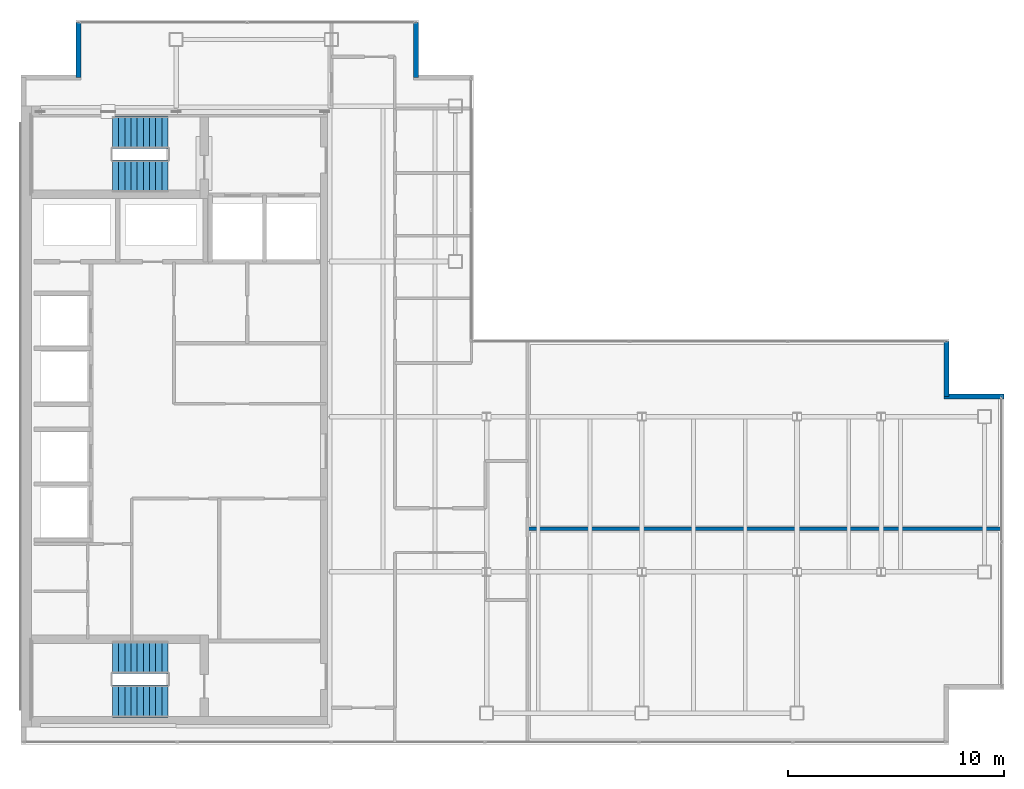
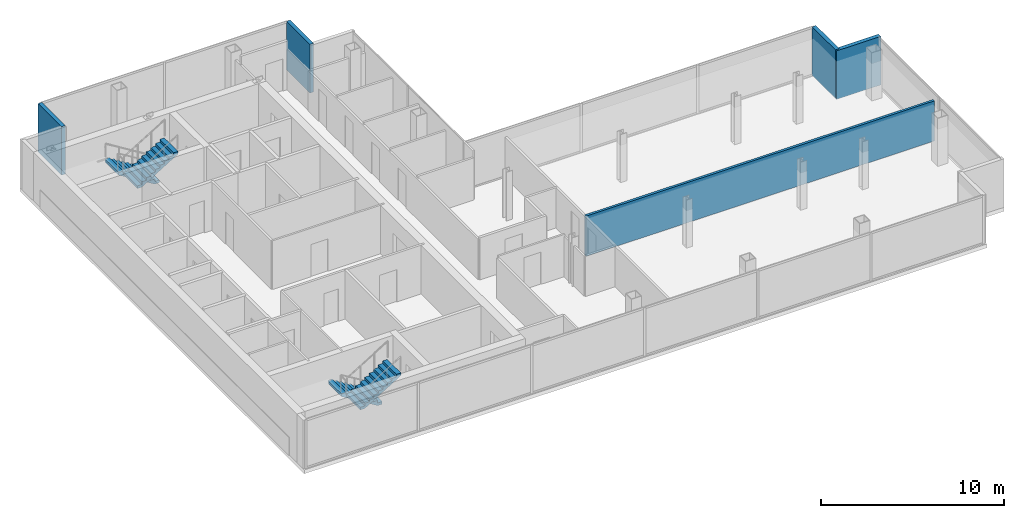
# One storey, part 22 of 23: 5 walls, 4 stair flights, 2 elements without a shape of their own.
"""IFC4 building model written with IfcOpenShell, lengths in metres."""

from ifc_helpers import new_model, si_unit, direction, frame, frame_2d, origin, place, context, subcontext, project, spatial, polyline, rectangle, outline, extrude, material, layer, layer_set, type_object, element, aggregate, save


model = new_model("IFC4")

# Units and contexts
model_context = context("Model", 3, precision=1e-05, world=origin(), true_north=direction((0.0, 1.0)))
body_context = subcontext(model_context, "Body", "Model", "MODEL_VIEW")
ifc_project = project(units=[si_unit("LENGTHUNIT", "METRE"), si_unit("AREAUNIT", "SQUARE_METRE"), si_unit("VOLUMEUNIT", "CUBIC_METRE"), si_unit("PLANEANGLEUNIT", "RADIAN"), si_unit("MASSUNIT", "GRAM", prefix="KILO")], contexts=[model_context])

# Site, building, storey
site_placement = place(None, origin())
site = spatial("IfcSite", under=ifc_project, at=site_placement, CompositionType="ELEMENT")
building_placement = place(site_placement, origin())
building = spatial("IfcBuilding", under=site, at=building_placement, Name="Cobrela Telecom Tower", CompositionType="ELEMENT")
storey_placement = place(building_placement, frame((0.0, 0.0, 251.64990234375)))
storey = spatial("IfcBuildingStorey", under=building, at=storey_placement, Name="L65", CompositionType="ELEMENT", Elevation=251.64990234375)

# Walls
ifc_material_1 = material(Name="Concrete C40/50", Category="concrete")
ifc_layer_1 = layer(ifc_material_1, 0.239990234375)
ifc_layer_set_1 = layer_set([ifc_layer_1], Name="Concrete C40/50")
wall_type_1 = type_object("IfcWallType", Name="WALL-EXT-300", PredefinedType="STANDARD", material=ifc_layer_set_1)
for number, where, z_axis, x_axis, name in (
    (1, (2.669921875, 37.330078125, 0.0), (0.0, 0.0, 1.0), (0.0, 1.0, 0.0), "L65 Insulated Facade Wall 04"),
    (2, (18.330078125, 39.8798828125, 0.0), (0.0, 0.0, 1.0), (0.0, -1.0, 0.0), "L65 Insulated Facade Wall 06"),
):
    element("IfcWall", number, at=place(storey_placement, frame(where, z_axis=z_axis, x_axis=x_axis)), inside=storey, type_object=wall_type_1, Name=name, PredefinedType="STANDARD", context=body_context, shape_type="SweptSolid", body=[
        extrude(rectangle(XDim=2.5498046875, YDim=0.239990234375, at=frame_2d((1.27490234375, 0.0))), origin(), (0.0, 0.0, 1.0), 3.239990234375),
    ])
wall_1_placement = place(storey_placement, frame((42.929931640625, 25.080078125, 0.0), z_axis=(0.0, 0.0, 1.0), x_axis=(0.0, -1.0, 0.0)))
element("IfcWall", 3, at=wall_1_placement, inside=storey, type_object=wall_type_1, Name="L65 Insulated Facade Wall 10", PredefinedType="STANDARD", context=body_context, shape_type="SweptSolid", body=[
    extrude(rectangle(XDim=2.550048828125, YDim=0.239990234375, at=frame_2d((1.27490234375, 0.0))), origin(), (0.0, 0.0, 1.0), 3.239990234375),
])
wall_2_placement = place(storey_placement, frame((42.81005859375, 22.530029296875, 0.0), z_axis=(0.0, 0.0, 1.0), x_axis=(1.0, 0.0, 0.0)))
element("IfcWall", 4, at=wall_2_placement, inside=storey, type_object=wall_type_1, Name="L65 Insulated Facade Wall 11", PredefinedType="STANDARD", context=body_context, shape_type="SweptSolid", body=[
    extrude(rectangle(XDim=2.7900390625, YDim=0.239990234375, at=frame_2d((1.39501953125, 0.0))), origin(), (0.0, 0.0, 1.0), 3.239990234375),
])
ifc_material_2 = material(Name="Fire-Rated Gypsum Plasterboard")
ifc_layer_2 = layer(ifc_material_2, 0.159912109375)
ifc_layer_set_2 = layer_set([ifc_layer_2], Name="Fire-Rated Gypsum Plasterboard")
wall_type_2 = type_object("IfcWallType", Name="WALL-PART-160", PredefinedType="PARTITIONING", material=ifc_layer_set_2)
wall_3_placement = place(storey_placement, frame((23.5, 16.39990234375, 0.0), z_axis=(0.0, 0.0, 1.0), x_axis=(1.0, 0.0, 0.0)))
element("IfcWall", 5, at=wall_3_placement, inside=storey, type_object=wall_type_2, Name="L65 Interior Partition W-FE-H", PredefinedType="PARTITIONING", context=body_context, shape_type="SweptSolid", body=[
    extrude(rectangle(XDim=21.97998046875, YDim=0.159912109375, at=frame_2d((10.989990234375, 0.0))), origin(), (0.0, 0.0, 1.0), 2.676025390625),
])

# Stair, stair flights
stair_type = type_object("IfcStairType", Name="STAIR-CORE", PredefinedType="HALF_TURN_STAIR", material=ifc_material_1)
stair_1_placement = place(storey_placement, origin())
stair_1 = element("IfcStair", 6, at=stair_1_placement, inside=storey, type_object=stair_type, Name="L65 Smokeproof Exit Stair ST1", PredefinedType="HALF_TURN_STAIR")
stair_flight_type = type_object("IfcStairFlightType", Name="FLIGHT-CORE", PredefinedType="STRAIGHT", material=ifc_material_1)
stair_flight_1_placement = place(storey_placement, frame((6.820068359375, 34.800048828125, 0.0), z_axis=(0.0, 0.0, 1.0), x_axis=(-1.0, 0.0, 0.0)))
stair_flight_1 = element("IfcStairFlight", 7, at=stair_flight_1_placement, type_object=stair_flight_type, Name="ST1 flight 1", NumberOfRisers=10, NumberOfTreads=9, PredefinedType="STRAIGHT", RiserHeight=0.175, TreadLength=0.285, context=body_context, shape_type="SweptSolid", body=[
    extrude(outline(polyline([(0.0, 0.0), (0.0, 0.175048828125), (0.284912109375, 0.175048828125), (0.284912109375, 0.35009765625), (0.570068359375, 0.35009765625), (0.570068359375, 0.52490234375), (0.85498046875, 0.52490234375), (0.85498046875, 0.699951171875), (1.139892578125, 0.699951171875), (1.139892578125, 0.875), (1.425048828125, 0.875), (1.425048828125, 1.050048828125), (1.7099609375, 1.050048828125), (1.7099609375, 1.22509765625), (1.9951171875, 1.22509765625), (1.9951171875, 1.39990234375), (2.280029296875, 1.39990234375), (2.280029296875, 1.574951171875), (2.56494140625, 1.574951171875), (2.56494140625, 1.75), (2.56494140625, 1.399169921875), (0.286376953125, 0.0), (0.0, 0.0)])), frame((0.0, 0.75, 0.0), z_axis=(0.0, -1.0, 0.0), x_axis=(1.0, 0.0, 0.0)), (0.0, 0.0, 1.0), 1.5),
])
stair_flight_2_placement = place(storey_placement, frame((4.2548828125, 32.75, 1.75), z_axis=(0.0, 0.0, 1.0), x_axis=(1.0, 0.0, 0.0)))
stair_flight_2 = element("IfcStairFlight", 8, at=stair_flight_2_placement, type_object=stair_flight_type, Name="ST1 flight 2", NumberOfRisers=10, NumberOfTreads=9, PredefinedType="STRAIGHT", RiserHeight=0.175, TreadLength=0.285, context=body_context, shape_type="SweptSolid", body=[
    extrude(outline(polyline([(0.0, 0.0), (0.0, 0.175048828125), (0.284912109375, 0.175048828125), (0.284912109375, 0.35009765625), (0.570068359375, 0.35009765625), (0.570068359375, 0.52490234375), (0.85498046875, 0.52490234375), (0.85498046875, 0.699951171875), (1.139892578125, 0.699951171875), (1.139892578125, 0.875), (1.425048828125, 0.875), (1.425048828125, 1.050048828125), (1.7099609375, 1.050048828125), (1.7099609375, 1.22509765625), (1.9951171875, 1.22509765625), (1.9951171875, 1.39990234375), (2.280029296875, 1.39990234375), (2.280029296875, 1.574951171875), (2.56494140625, 1.574951171875), (2.56494140625, 1.75), (2.56494140625, 1.399169921875), (0.286376953125, 0.0), (0.0, 0.0)])), frame((0.0, 0.75, 0.0), z_axis=(0.0, -1.0, 0.0), x_axis=(1.0, 0.0, 0.0)), (0.0, 0.0, 1.0), 1.5),
])
aggregate(stair_1, [stair_flight_1, stair_flight_2])

stair_2_placement = place(storey_placement, origin())
stair_2 = element("IfcStair", 9, at=stair_2_placement, inside=storey, type_object=stair_type, Name="L65 Smokeproof Exit Stair ST2", PredefinedType="HALF_TURN_STAIR")
stair_flight_3_placement = place(storey_placement, frame((6.820068359375, 10.449951171875, 0.0), z_axis=(0.0, 0.0, 1.0), x_axis=(-1.0, 0.0, 0.0)))
stair_flight_3 = element("IfcStairFlight", 10, at=stair_flight_3_placement, type_object=stair_flight_type, Name="ST2 flight 1", NumberOfRisers=10, NumberOfTreads=9, PredefinedType="STRAIGHT", RiserHeight=0.175, TreadLength=0.285, context=body_context, shape_type="SweptSolid", body=[
    extrude(outline(polyline([(0.0, 0.0), (0.0, 0.175048828125), (0.284912109375, 0.175048828125), (0.284912109375, 0.35009765625), (0.570068359375, 0.35009765625), (0.570068359375, 0.52490234375), (0.85498046875, 0.52490234375), (0.85498046875, 0.699951171875), (1.139892578125, 0.699951171875), (1.139892578125, 0.875), (1.425048828125, 0.875), (1.425048828125, 1.050048828125), (1.7099609375, 1.050048828125), (1.7099609375, 1.22509765625), (1.9951171875, 1.22509765625), (1.9951171875, 1.39990234375), (2.280029296875, 1.39990234375), (2.280029296875, 1.574951171875), (2.56494140625, 1.574951171875), (2.56494140625, 1.75), (2.56494140625, 1.399169921875), (0.286376953125, 0.0), (0.0, 0.0)])), frame((0.0, 0.75, 0.0), z_axis=(0.0, -1.0, 0.0), x_axis=(1.0, 0.0, 0.0)), (0.0, 0.0, 1.0), 1.5),
])
stair_flight_4_placement = place(storey_placement, frame((4.2548828125, 8.39990234375, 1.75), z_axis=(0.0, 0.0, 1.0), x_axis=(1.0, 0.0, 0.0)))
stair_flight_4 = element("IfcStairFlight", 11, at=stair_flight_4_placement, type_object=stair_flight_type, Name="ST2 flight 2", NumberOfRisers=10, NumberOfTreads=9, PredefinedType="STRAIGHT", RiserHeight=0.175, TreadLength=0.285, context=body_context, shape_type="SweptSolid", body=[
    extrude(outline(polyline([(0.0, 0.0), (0.0, 0.175048828125), (0.284912109375, 0.175048828125), (0.284912109375, 0.35009765625), (0.570068359375, 0.35009765625), (0.570068359375, 0.52490234375), (0.85498046875, 0.52490234375), (0.85498046875, 0.699951171875), (1.139892578125, 0.699951171875), (1.139892578125, 0.875), (1.425048828125, 0.875), (1.425048828125, 1.050048828125), (1.7099609375, 1.050048828125), (1.7099609375, 1.22509765625), (1.9951171875, 1.22509765625), (1.9951171875, 1.39990234375), (2.280029296875, 1.39990234375), (2.280029296875, 1.574951171875), (2.56494140625, 1.574951171875), (2.56494140625, 1.75), (2.56494140625, 1.399169921875), (0.286376953125, 0.0), (0.0, 0.0)])), frame((0.0, 0.75, 0.0), z_axis=(0.0, -1.0, 0.0), x_axis=(1.0, 0.0, 0.0)), (0.0, 0.0, 1.0), 1.5),
])
aggregate(stair_2, [stair_flight_3, stair_flight_4])

save(model, "model.ifc")
